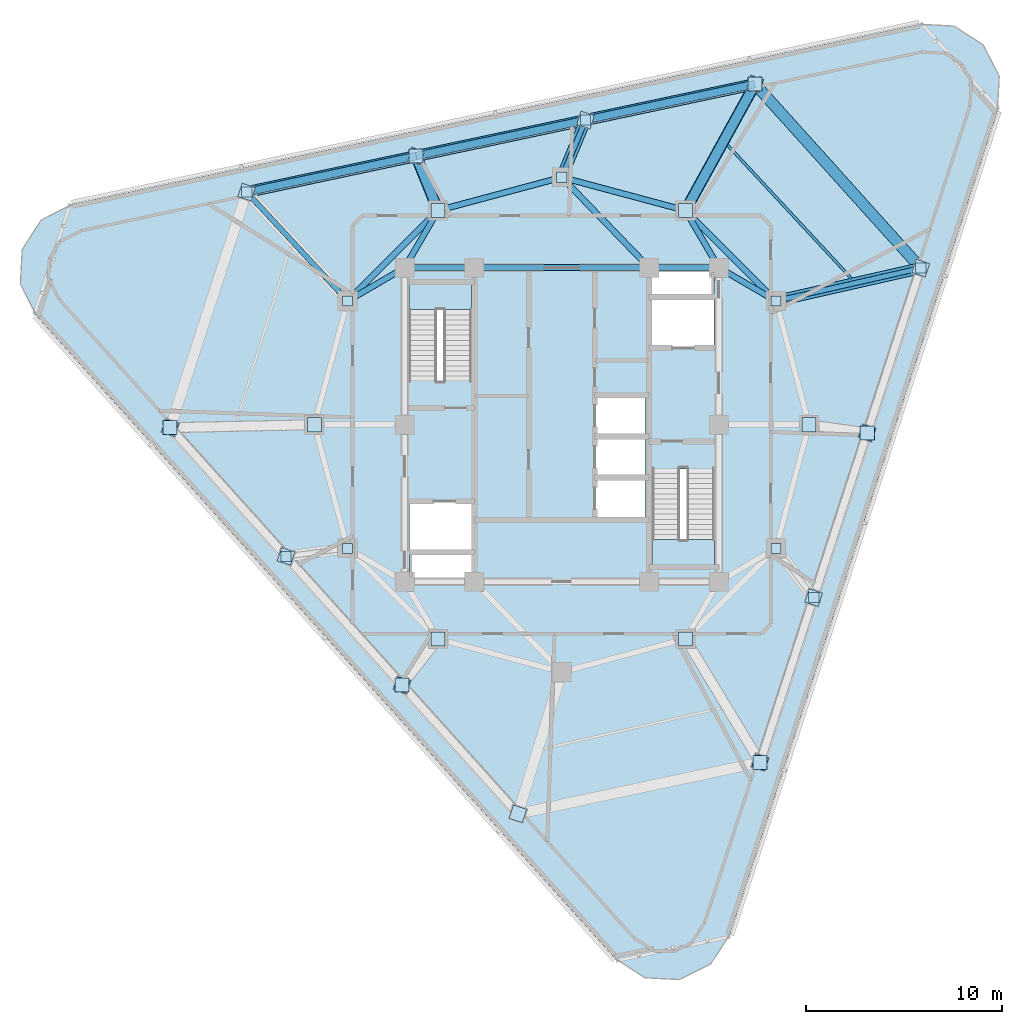
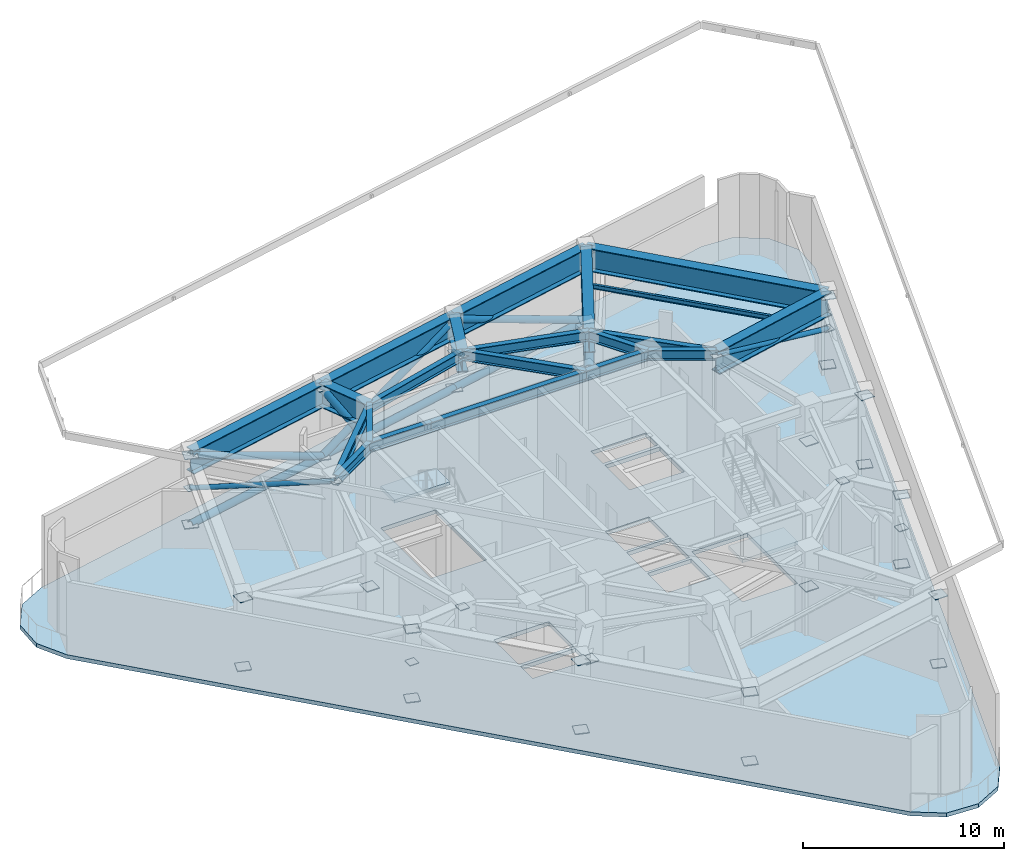
# One storey, part 2 of 10: 40 plates, 21 beams, 11 members, 3 slabs, 2 elements without a shape of their own.
"""IFC4 building model written with IfcOpenShell, lengths in metres."""

import ifcopenshell
import ifcopenshell.guid

model = None  # the IFC model being written
_history = None  # IfcOwnerHistory: only IFC2X3 demands one
_inside = {}  # id of a spatial element -> (the spatial element, [elements in it])
_under = {}  # id of a project, library or spatial element -> (it, [spatial elements below it])
_declared = {}  # id of a project -> (the project, [libraries it declares])
_typed = {}  # id of a type object -> (the type object, [elements of that type])
_made_of = {}  # id of a material, layer set ... -> (it, [elements and type objects made of it])


def new_model(schema):
    """Start an empty IFC model of exactly this schema.

    Asked for "IFC4X3", IfcOpenShell would pick the latest addendum, in which some entities
    have other attributes; the version numbers below select the first issue.
    IFC2X3 requires an IfcOwnerHistory on every rooted entity: one is made here for all.
    """
    global model, _history
    if schema == "IFC4X3":
        model = ifcopenshell.file(schema_version=(4, 3, 0, 0))
    else:
        model = ifcopenshell.file(schema=schema)
    _inside.clear()
    _under.clear()
    _declared.clear()
    _typed.clear()
    _made_of.clear()
    _history = None
    if model.schema == "IFC2X3":
        org = make("IfcOrganization", Name="unknown")
        user = make(
            "IfcPersonAndOrganization",
            ThePerson=make("IfcPerson", FamilyName="unknown"),
            TheOrganization=org,
        )
        app = make(
            "IfcApplication",
            ApplicationDeveloper=org,
            Version="unknown",
            ApplicationFullName="unknown",
            ApplicationIdentifier="unknown",
        )
        _history = make(
            "IfcOwnerHistory",
            OwningUser=user,
            OwningApplication=app,
            ChangeAction="ADDED",
            CreationDate=0,
        )
    return model


def make(cls, **values):
    """One entity of the class cls with the attributes given. An attribute that is None is left unset."""
    return model.create_entity(
        cls, **{name: value for name, value in values.items() if value is not None}
    )


def rooted(cls, **values):
    """An entity with a GlobalId (a new one), such as an element, a storey or a relation."""
    return make(cls, GlobalId=ifcopenshell.guid.new(), OwnerHistory=_history, **values)


def si_unit(unit_type, name, prefix=None):
    """IfcSIUnit, for example si_unit("LENGTHUNIT", "METRE", prefix="MILLI")."""
    return make("IfcSIUnit", UnitType=unit_type, Prefix=prefix, Name=name)


def assignment(units):
    """IfcUnitAssignment: the units of a project."""
    return None if units is None else make("IfcUnitAssignment", Units=units)


def point(xyz):
    """IfcCartesianPoint."""
    return None if xyz is None else make("IfcCartesianPoint", Coordinates=xyz)


def direction(xyz):
    """IfcDirection."""
    return None if xyz is None else make("IfcDirection", DirectionRatios=xyz)


def frame(location, z_axis=None, x_axis=None):
    """IfcAxis2Placement3D, a coordinate frame: its origin and axes. An axis left out is left unset."""
    return make(
        "IfcAxis2Placement3D",
        Location=point(location),
        Axis=direction(z_axis),
        RefDirection=direction(x_axis),
    )


def frame_2d(location, x_axis=None):
    """IfcAxis2Placement2D, a coordinate frame in the plane: its origin and x axis."""
    return make(
        "IfcAxis2Placement2D", Location=point(location), RefDirection=direction(x_axis)
    )


def origin():
    """The frame at (0, 0, 0) with its axes left unset."""
    return frame((0.0, 0.0, 0.0))


def origin_2d():
    """The frame at (0, 0) in the plane with its x axis left unset."""
    return frame_2d((0.0, 0.0))


def place(relative_to, where):
    """IfcLocalPlacement: puts the frame where relative to a parent placement (None: the world)."""
    return make(
        "IfcLocalPlacement", PlacementRelTo=relative_to, RelativePlacement=where
    )


def context(
    kind, dimensions, precision=None, world=None, true_north=None, identifier=None
):
    """IfcGeometricRepresentationContext, for example the 3D "Model" context."""
    return make(
        "IfcGeometricRepresentationContext",
        ContextIdentifier=identifier,
        ContextType=kind,
        CoordinateSpaceDimension=dimensions,
        Precision=precision,
        WorldCoordinateSystem=world,
        TrueNorth=true_north,
    )


def subcontext(parent, identifier, kind, view, scale=None):
    """IfcGeometricRepresentationSubContext, for example "Body" below "Model"."""
    return make(
        "IfcGeometricRepresentationSubContext",
        ContextIdentifier=identifier,
        ContextType=kind,
        ParentContext=parent,
        TargetScale=scale,
        TargetView=view,
    )


def project(units=None, contexts=None):
    """IfcProject with its units and contexts."""
    return rooted(
        "IfcProject",
        Name="project",
        RepresentationContexts=contexts,
        UnitsInContext=assignment(units),
    )


def spatial(cls, under=None, at=None, **own):
    """A site, building, storey or space (cls), placed at a placement, below another one or the project."""
    s = rooted(cls, ObjectPlacement=at, **own)
    if under is not None:
        _under.setdefault(under.id(), (under, []))[1].append(s)
    return s


def polyline(points):
    """IfcPolyline through the points."""
    return make("IfcPolyline", Points=[point(p) for p in points])


def profile(cls, at=None, kind="AREA", **sizes):
    """A parametric profile (cls). Its sizes go by their IFC names, for example OverallWidth=200.0."""
    return make(cls, ProfileType=kind, Position=at, **sizes)


def rectangle(**sizes):
    """IfcRectangleProfileDef."""
    return profile("IfcRectangleProfileDef", **sizes)


def hollow_circle(**sizes):
    """IfcCircleHollowProfileDef."""
    return profile("IfcCircleHollowProfileDef", **sizes)


def i_section(**sizes):
    """IfcIShapeProfileDef."""
    return profile("IfcIShapeProfileDef", **sizes)


def outline(outer, holes=None, kind="AREA"):
    """IfcArbitraryClosedProfileDef: a profile drawn as a closed curve; with holes, ...WithVoids."""
    if holes is None:
        return make("IfcArbitraryClosedProfileDef", ProfileType=kind, OuterCurve=outer)
    return make(
        "IfcArbitraryProfileDefWithVoids",
        ProfileType=kind,
        OuterCurve=outer,
        InnerCurves=holes,
    )


def extrude(swept, where, along, depth):
    """IfcExtrudedAreaSolid: the profile swept, set in the frame where, extruded along a direction by depth."""
    return make(
        "IfcExtrudedAreaSolid",
        SweptArea=swept,
        Position=where,
        ExtrudedDirection=direction(along),
        Depth=depth,
    )


def shape(context_of_items, identifier, shape_type, items):
    """IfcShapeRepresentation: the items that make up one representation, for example the "Body"."""
    return make(
        "IfcShapeRepresentation",
        ContextOfItems=context_of_items,
        RepresentationIdentifier=identifier,
        RepresentationType=shape_type,
        Items=items,
    )


def material(Name=None, Category=None):
    """IfcMaterial."""
    return make("IfcMaterial", Name=Name, Category=Category)


def layer(
    of_material, thickness, ventilated=None, Name=None, Category=None, Priority=None
):
    """IfcMaterialLayer: one layer of a wall or slab, of a material (None: an air gap)."""
    return make(
        "IfcMaterialLayer",
        Material=of_material,
        LayerThickness=thickness,
        IsVentilated=ventilated,
        Name=Name,
        Category=Category,
        Priority=Priority,
    )


def layer_set(layers, Name=None):
    """IfcMaterialLayerSet."""
    return make("IfcMaterialLayerSet", MaterialLayers=layers, LayerSetName=Name)


def material_profile(
    of_material, cross_section, Name=None, Category=None, Priority=None
):
    """IfcMaterialProfile: a cross section and its material."""
    return make(
        "IfcMaterialProfile",
        Name=Name,
        Material=of_material,
        Profile=cross_section,
        Priority=Priority,
        Category=Category,
    )


def profile_set(profiles, Name=None, composite=None):
    """IfcMaterialProfileSet."""
    return make(
        "IfcMaterialProfileSet",
        Name=Name,
        MaterialProfiles=profiles,
        CompositeProfile=composite,
    )


def made_of(thing, what):
    """Note that an element or type object is made of a material, layer set ...; save() writes the relation."""
    if what is not None:
        _made_of.setdefault(what.id(), (what, []))[1].append(thing)
    return thing


def type_object(cls, material=None, **own):
    """A type object (cls), such as IfcWallType, which elements share."""
    return made_of(rooted(cls, **own), material)


def element(
    cls,
    number,
    at=None,
    inside=None,
    cuts=None,
    type_object=None,
    material=None,
    context=None,
    identifier="Body",
    shape_type=None,
    held_by="IfcProductDefinitionShape",
    body=None,
    shapes=None,
    **own,
):
    """One element of the class cls, such as IfcWall. Its Tag is "e" and its number.

    at: its placement. inside: the storey or other place that contains it. cuts: it is an
    opening in that element (IfcRelVoidsElement). A single representation is given by context,
    identifier, shape_type and body (its items); several are given by shapes. held_by: the class
    of the entity that holds the representations. save() writes the other relations.
    """
    e = rooted(cls, Tag="e%d" % number, ObjectPlacement=at, **own)
    if body is not None:
        shapes = [shape(context, identifier, shape_type, body)]
    if shapes is not None:
        e.Representation = make(held_by, Representations=shapes)
    if inside is not None:
        _inside.setdefault(inside.id(), (inside, []))[1].append(e)
    if cuts is not None:
        rooted(
            "IfcRelVoidsElement", RelatingBuildingElement=cuts, RelatedOpeningElement=e
        )
    if type_object is not None:
        _typed.setdefault(type_object.id(), (type_object, []))[1].append(e)
    return made_of(e, material)


def aggregate(whole, parts):
    """IfcRelAggregates: a whole, such as a stair, and the parts it consists of."""
    return rooted("IfcRelAggregates", RelatingObject=whole, RelatedObjects=parts)


def save(model, path):
    """Write the relations noted so far, then the file.

    IfcRelAggregates (storeys below a building ...), IfcRelContainedInSpatialStructure (elements
    in a storey), IfcRelDefinesByType, IfcRelAssociatesMaterial and IfcRelDeclares: one each for
    every whole, place, type object, material and project.
    """
    for whole, parts in _under.values():
        aggregate(whole, parts)
    for where, things in _inside.values():
        rooted(
            "IfcRelContainedInSpatialStructure",
            RelatedElements=things,
            RelatingStructure=where,
        )
    for kind, things in _typed.values():
        rooted("IfcRelDefinesByType", RelatedObjects=things, RelatingType=kind)
    for what, things in _made_of.values():
        rooted("IfcRelAssociatesMaterial", RelatedObjects=things, RelatingMaterial=what)
    for by, libraries in _declared.values():
        rooted("IfcRelDeclares", RelatingContext=by, RelatedDefinitions=libraries)
    model.write(path)


model = new_model("IFC4")

# Units and contexts
model_context = context("Model", 3, precision=1e-05, world=origin(), true_north=direction((0.0, 1.0)))
body_context = subcontext(model_context, "Body", "Model", "MODEL_VIEW")
ifc_project = project(units=[si_unit("LENGTHUNIT", "METRE"), si_unit("AREAUNIT", "SQUARE_METRE"), si_unit("VOLUMEUNIT", "CUBIC_METRE"), si_unit("PLANEANGLEUNIT", "RADIAN"), si_unit("MASSUNIT", "GRAM", prefix="KILO")], contexts=[model_context])

# Site, building, storey
site_placement = place(None, origin())
site = spatial("IfcSite", under=ifc_project, at=site_placement, CompositionType="ELEMENT")
building_placement = place(site_placement, origin())
building = spatial("IfcBuilding", under=site, at=building_placement, Name="Terralouvre Media Tower", CompositionType="ELEMENT")
storey_placement = place(building_placement, frame((0.0, 0.0, 278.10009765625)))
storey = spatial("IfcBuildingStorey", under=building, at=storey_placement, Name="L72", CompositionType="ELEMENT", Elevation=278.10009765625)

# Members
ifc_material_1 = material(Name="Structural steel S460M", Category="steel")
ifc_material_profile_1 = material_profile(ifc_material_1, hollow_circle(Radius=0.203125, WallThickness=0.02001953125, at=origin_2d()), Name="CHS 406.4x20")
ifc_profile_set_1 = profile_set([ifc_material_profile_1], Name="Structural steel S460M")
member_type_1 = type_object("IfcMemberType", Name="Belt and Outrigger Brace BR-CHS406 (CHS 406.4x20)", PredefinedType="BRACE", material=ifc_profile_set_1)
member_1_placement = place(storey_placement, frame((9.843505859375, 17.35205078125, 0.349853515625), z_axis=(-0.883213013317, -0.187714617358, 0.4297650469), x_axis=(0.207892507471, -0.978151678083, 0.0)))
element("IfcMember", 1, at=member_1_placement, inside=storey, type_object=member_type_1, Name="L72 Belt-Truss Diagonal Brace BT04", PredefinedType="BRACE", context=body_context, shape_type="SweptSolid", body=[
    extrude(hollow_circle(Radius=0.203125, WallThickness=0.02001953125, at=origin_2d()), origin(), (0.0, 0.0, 1.0), 9.772705078125),
])
for number, where, z_axis, x_axis, name in (
    (2, (1.212158203125, 15.517578125, 4.5498046875), (-0.883203376513, -0.18774286127, -0.429772513963), (0.207924605802, -0.97814485548, 0.0), "L72 Belt-Truss Diagonal Brace BT05"),
    (3, (-7.4189453125, 13.682861328125, 0.349853515625), (-0.883203376513, -0.18774286127, 0.429772513963), (0.207924605802, -0.97814485548, 0.0), "L72 Belt-Truss Diagonal Brace BT06"),
):
    element("IfcMember", number, at=place(storey_placement, frame(where, z_axis=z_axis, x_axis=x_axis)), inside=storey, type_object=member_type_1, Name=name, PredefinedType="BRACE", context=body_context, shape_type="SweptSolid", body=[
        extrude(hollow_circle(Radius=0.203125, WallThickness=0.02001953125, at=origin_2d()), origin(), (0.0, 0.0, 1.0), 9.7724609375),
    ])
ifc_material_2 = material(Name="Structural steel S460M", Category="steel")
ifc_material_profile_2 = material_profile(ifc_material_2, hollow_circle(Radius=0.25390625, WallThickness=0.02490234375, at=origin_2d()), Name="CHS 508x25")
ifc_profile_set_2 = profile_set([ifc_material_profile_2], Name="Structural steel S460M")
member_type_2 = type_object("IfcMemberType", Name="Belt and Outrigger Brace BR-CHS508 (CHS 508x25)", PredefinedType="BRACE", material=ifc_profile_set_2)
member_2_placement = place(storey_placement, frame((6.300048828125, 10.911865234375, 2.5498046875), z_axis=(0.465150092067, 0.845404042899, 0.262540275197), x_axis=(-0.876138059159, 0.482060267282, 0.0)))
element("IfcMember", 4, at=member_2_placement, inside=storey, type_object=member_type_2, Name="L72 Outrigger Diagonal Brace OR03", PredefinedType="BRACE", context=body_context, shape_type="SweptSolid", body=[
    extrude(hollow_circle(Radius=0.25390625, WallThickness=0.02490234375, at=origin_2d()), origin(), (0.0, 0.0, 1.0), 7.617919921875),
])
member_3_placement = place(storey_placement, frame((-6.300048828125, 10.911865234375, 2.5498046875), z_axis=(-0.311160736609, 0.77060317707, 0.556192178552), x_axis=(-0.927260383386, -0.374417122208, 0.0)))
element("IfcMember", 5, at=member_3_placement, inside=storey, type_object=member_type_2, Name="L72 Outrigger Diagonal Brace OR04", PredefinedType="BRACE", context=body_context, shape_type="SweptSolid", body=[
    extrude(hollow_circle(Radius=0.25390625, WallThickness=0.02490234375, at=origin_2d()), origin(), (0.0, 0.0, 1.0), 3.595947265625),
])

# Beam
ifc_material_3 = material(Name="Structural steel S355J2", Category="steel")
ifc_material_profile_3 = material_profile(ifc_material_3, i_section(OverallWidth=0.135009765625, OverallDepth=0.27001953125, WebThickness=0.006591796875, FlangeThickness=0.01025390625, at=origin_2d()), Name="IPE 270")
ifc_profile_set_3 = profile_set([ifc_material_profile_3], Name="Structural steel S355J2")
beam_type_1 = type_object("IfcBeamType", Name="Composite Floor Joist J-IPE270 (IPE 270)", PredefinedType="JOIST", material=ifc_profile_set_3)
beam_1_placement = place(storey_placement, frame((14.748779296875, 7.457275390625, 4.764892578125), z_axis=(-0.680610911469, 0.732645062216, 0.0), x_axis=(-0.732645062216, -0.680610911469, 0.0)))
element("IfcBeam", 6, at=beam_1_placement, inside=storey, type_object=beam_type_1, Name="L72 Framing Beam JT-L72-04", PredefinedType="JOIST", context=body_context, shape_type="SweptSolid", body=[
    extrude(i_section(OverallWidth=0.135009765625, OverallDepth=0.27001953125, WebThickness=0.006591796875, FlangeThickness=0.01025390625, at=origin_2d()), origin(), (0.0, 0.0, 1.0), 9.257080078125),
])

# Members
ifc_material_4 = material(Name="Structural steel S355J2", Category="steel")
ifc_material_profile_4 = material_profile(ifc_material_4, hollow_circle(Radius=0.136474609375, WallThickness=0.012451171875, at=origin_2d()), Name="CHS 273x12.5")
ifc_profile_set_4 = profile_set([ifc_material_profile_4], Name="Structural steel S355J2")
member_type_3 = type_object("IfcMemberType", Name="Portal Knee-Brace Strut ST-CHS273 (CHS 273x12.5)", PredefinedType="STRUT", material=ifc_profile_set_4)
member_4_placement = place(storey_placement, frame((10.911865234375, 6.300048828125, 4.5498046875), z_axis=(0.942728932711, 0.214208338803, -0.255689160931), x_axis=(-0.2215736586, 0.97514363753, 0.0)))
element("IfcMember", 7, at=member_4_placement, inside=storey, type_object=member_type_3, Name="L72 Refuge Outrigger Knee-Brace Strut 17", PredefinedType="STRUT", context=body_context, shape_type="SweptSolid", body=[
    extrude(hollow_circle(Radius=0.136474609375, WallThickness=0.012451171875, at=origin_2d()), origin(), (0.0, 0.0, 1.0), 7.822021484375),
])
member_5_placement = place(storey_placement, frame((0.0, 12.60009765625, 4.5498046875), z_axis=(0.324182733249, 0.78025854226, -0.53488518646), x_axis=(-0.923465125143, 0.383682372078, 0.0)))
element("IfcMember", 8, at=member_5_placement, inside=storey, type_object=member_type_3, Name="L72 Refuge Outrigger Knee-Brace Strut 18", PredefinedType="STRUT", context=body_context, shape_type="SweptSolid", body=[
    extrude(hollow_circle(Radius=0.136474609375, WallThickness=0.012451171875, at=origin_2d()), origin(), (0.0, 0.0, 1.0), 3.739013671875),
])
member_6_placement = place(storey_placement, frame((-10.911865234375, 6.300048828125, 4.5498046875), z_axis=(-0.656896171376, 0.709301791054, -0.25569198118), x_axis=(-0.733690924609, -0.679483353105, 0.0)))
element("IfcMember", 9, at=member_6_placement, inside=storey, type_object=member_type_3, Name="L72 Refuge Outrigger Knee-Brace Strut 19", PredefinedType="STRUT", context=body_context, shape_type="SweptSolid", body=[
    extrude(hollow_circle(Radius=0.136474609375, WallThickness=0.012451171875, at=origin_2d()), origin(), (0.0, 0.0, 1.0), 7.822021484375),
])

# Beams
ifc_material_5 = material(Name="Structural steel S460M", Category="steel")
ifc_material_profile_5 = material_profile(ifc_material_5, i_section(OverallWidth=0.300048828125, OverallDepth=0.60009765625, WebThickness=0.015380859375, FlangeThickness=0.030029296875, at=origin_2d()), Name="HEB 600")
ifc_profile_set_5 = profile_set([ifc_material_profile_5], Name="Structural steel S460M")
beam_type_2 = type_object("IfcBeamType", Name="Primary Floor Girder B-HEB600 (HEB 600)", PredefinedType="BEAM", material=ifc_profile_set_5)
beam_2_placement = place(storey_placement, frame((8.0, 8.0, 4.599853515625), z_axis=(-1.0, 0.0, 0.0), x_axis=(0.0, -1.0, 0.0)))
element("IfcBeam", 10, at=beam_2_placement, inside=storey, type_object=beam_type_2, Name="L72 Framing Beam BM-L72-CPR06", PredefinedType="BEAM", context=body_context, shape_type="SweptSolid", body=[
    extrude(i_section(OverallWidth=0.300048828125, OverallDepth=0.60009765625, WebThickness=0.015380859375, FlangeThickness=0.030029296875, at=origin_2d()), origin(), (0.0, 0.0, 1.0), 3.550048828125),
])
beam_3_placement = place(storey_placement, frame((4.449951171875, 8.0, 4.599853515625), z_axis=(-1.0, 0.0, 0.0), x_axis=(0.0, -1.0, 0.0)))
element("IfcBeam", 11, at=beam_3_placement, inside=storey, type_object=beam_type_2, Name="L72 Framing Beam BM-L72-CPR07", PredefinedType="BEAM", context=body_context, shape_type="SweptSolid", body=[
    extrude(i_section(OverallWidth=0.300048828125, OverallDepth=0.60009765625, WebThickness=0.015380859375, FlangeThickness=0.030029296875, at=origin_2d()), origin(), (0.0, 0.0, 1.0), 8.89990234375),
])
beam_4_placement = place(storey_placement, frame((-4.449951171875, 8.0, 4.599853515625), z_axis=(-1.0, 0.0, 0.0), x_axis=(0.0, -1.0, 0.0)))
element("IfcBeam", 12, at=beam_4_placement, inside=storey, type_object=beam_type_2, Name="L72 Framing Beam BM-L72-CPR08", PredefinedType="BEAM", context=body_context, shape_type="SweptSolid", body=[
    extrude(i_section(OverallWidth=0.300048828125, OverallDepth=0.60009765625, WebThickness=0.015380859375, FlangeThickness=0.030029296875, at=origin_2d()), origin(), (0.0, 0.0, 1.0), 3.550048828125),
])
beam_5_placement = place(storey_placement, frame((10.911865234375, 6.300048828125, 4.599853515625), z_axis=(-0.707106781187, 0.707106781187, 0.0), x_axis=(-0.707106781187, -0.707106781187, 0.0)))
element("IfcBeam", 13, at=beam_5_placement, inside=storey, type_object=beam_type_2, Name="L72 Framing Beam BM-L72-MR07", PredefinedType="BEAM", context=body_context, shape_type="SweptSolid", body=[
    extrude(i_section(OverallWidth=0.300048828125, OverallDepth=0.60009765625, WebThickness=0.015380859375, FlangeThickness=0.030029296875, at=origin_2d()), origin(), (0.0, 0.0, 1.0), 6.52197265625),
])
for number, where, z_axis, x_axis, name in (
    (14, (6.300048828125, 10.911865234375, 4.599853515625), (-0.965920481897, 0.258838989821, 0.0), (-0.258838989821, -0.965920481897, 0.0), "L72 Framing Beam BM-L72-MR08"),
    (15, (0.0, 12.60009765625, 4.599853515625), (-0.965920481897, -0.258838989821, 0.0), (0.258838989821, -0.965920481897, 0.0), "L72 Framing Beam BM-L72-MR09"),
):
    element("IfcBeam", number, at=place(storey_placement, frame(where, z_axis=z_axis, x_axis=x_axis)), inside=storey, type_object=beam_type_2, Name=name, PredefinedType="BEAM", context=body_context, shape_type="SweptSolid", body=[
        extrude(i_section(OverallWidth=0.300048828125, OverallDepth=0.60009765625, WebThickness=0.015380859375, FlangeThickness=0.030029296875, at=origin_2d()), origin(), (0.0, 0.0, 1.0), 6.522216796875),
    ])
beam_6_placement = place(storey_placement, frame((-6.300048828125, 10.911865234375, 4.599853515625), z_axis=(-0.707106781187, -0.707106781187, 0.0), x_axis=(0.707106781187, -0.707106781187, 0.0)))
element("IfcBeam", 16, at=beam_6_placement, inside=storey, type_object=beam_type_2, Name="L72 Framing Beam BM-L72-MR10", PredefinedType="BEAM", context=body_context, shape_type="SweptSolid", body=[
    extrude(i_section(OverallWidth=0.300048828125, OverallDepth=0.60009765625, WebThickness=0.015380859375, FlangeThickness=0.030029296875, at=origin_2d()), origin(), (0.0, 0.0, 1.0), 6.52197265625),
])
for number, where, z_axis, x_axis, name in (
    (17, (8.0, 8.0, 4.599853515625), (0.863602894532, -0.504172629717, 0.0), (0.504172629717, 0.863602894532, 0.0), "L72 Framing Beam BM-L72-CM07"),
    (18, (8.0, 8.0, 4.599853515625), (-0.504172629717, 0.863602894532, 0.0), (-0.863602894532, -0.504172629717, 0.0), "L72 Framing Beam BM-L72-CM08"),
):
    element("IfcBeam", number, at=place(storey_placement, frame(where, z_axis=z_axis, x_axis=x_axis)), inside=storey, type_object=beam_type_2, Name=name, PredefinedType="BEAM", context=body_context, shape_type="SweptSolid", body=[
        extrude(i_section(OverallWidth=0.300048828125, OverallDepth=0.60009765625, WebThickness=0.015380859375, FlangeThickness=0.030029296875, at=origin_2d()), origin(), (0.0, 0.0, 1.0), 3.371826171875),
    ])
beam_7_placement = place(storey_placement, frame((4.449951171875, 8.0, 4.599853515625), z_axis=(-0.695279715726, 0.718739255155, 0.0), x_axis=(-0.718739255155, -0.695279715726, 0.0)))
element("IfcBeam", 19, at=beam_7_placement, inside=storey, type_object=beam_type_2, Name="L72 Framing Beam BM-L72-CM09", PredefinedType="BEAM", context=body_context, shape_type="SweptSolid", body=[
    extrude(i_section(OverallWidth=0.300048828125, OverallDepth=0.60009765625, WebThickness=0.015380859375, FlangeThickness=0.030029296875, at=origin_2d()), origin(), (0.0, 0.0, 1.0), 6.400146484375),
])
for number, where, z_axis, x_axis, name in (
    (20, (-8.0, 8.0, 4.599853515625), (0.504172629717, 0.863602894532, 0.0), (-0.863602894532, 0.504172629717, 0.0), "L72 Framing Beam BM-L72-CM10"),
    (21, (-8.0, 8.0, 4.599853515625), (-0.863602894532, -0.504172629717, 0.0), (0.504172629717, -0.863602894532, 0.0), "L72 Framing Beam BM-L72-CM11"),
):
    element("IfcBeam", number, at=place(storey_placement, frame(where, z_axis=z_axis, x_axis=x_axis)), inside=storey, type_object=beam_type_2, Name=name, PredefinedType="BEAM", context=body_context, shape_type="SweptSolid", body=[
        extrude(i_section(OverallWidth=0.300048828125, OverallDepth=0.60009765625, WebThickness=0.015380859375, FlangeThickness=0.030029296875, at=origin_2d()), origin(), (0.0, 0.0, 1.0), 3.371826171875),
    ])

# Members
ifc_material_6 = material(Name="Structural steel S460M", Category="steel")
ifc_material_profile_6 = material_profile(ifc_material_6, hollow_circle(Radius=0.203125, WallThickness=0.02001953125, at=origin_2d()), Name="CHS 406.4x20")
ifc_profile_set_6 = profile_set([ifc_material_profile_6], Name="Structural steel S460M")
member_type_4 = type_object("IfcMemberType", Name="Truss Chord Member CH-CHS406 (CHS 406.4x20)", PredefinedType="CHORD", material=ifc_profile_set_6)
member_7_placement = place(storey_placement, frame((9.843505859375, 17.35205078125, 0.349853515625), z_axis=(-0.978151678083, -0.207892507471, 0.0), x_axis=(0.207892507471, -0.978151678083, 0.0)))
element("IfcMember", 22, at=member_7_placement, inside=storey, type_object=member_type_4, Name="L72 Belt-Truss Bottom Chord 04", PredefinedType="CHORD", context=body_context, shape_type="SweptSolid", body=[
    extrude(hollow_circle(Radius=0.203125, WallThickness=0.02001953125, at=origin_2d()), origin(), (0.0, 0.0, 1.0), 8.82421875),
])
for number, where, z_axis, x_axis, name in (
    (23, (1.212158203125, 15.517578125, 0.349853515625), (-0.97814485548, -0.207924605802, 0.0), (0.207924605802, -0.97814485548, 0.0), "L72 Belt-Truss Bottom Chord 05"),
    (24, (-7.4189453125, 13.682861328125, 0.349853515625), (-0.97814485548, -0.207924605802, 0.0), (0.207924605802, -0.97814485548, 0.0), "L72 Belt-Truss Bottom Chord 06"),
):
    element("IfcMember", number, at=place(storey_placement, frame(where, z_axis=z_axis, x_axis=x_axis)), inside=storey, type_object=member_type_4, Name=name, PredefinedType="CHORD", context=body_context, shape_type="SweptSolid", body=[
        extrude(hollow_circle(Radius=0.203125, WallThickness=0.02001953125, at=origin_2d()), origin(), (0.0, 0.0, 1.0), 8.823974609375),
    ])

# Beams
ifc_material_7 = material(Name="Structural steel S460M", Category="steel")
ifc_material_profile_7 = material_profile(ifc_material_7, i_section(OverallWidth=0.56005859375, OverallDepth=1.39990234375, WebThickness=0.031982421875, FlangeThickness=0.050048828125, at=origin_2d()), Name="TG 1400x560")
ifc_profile_set_7 = profile_set([ifc_material_profile_7], Name="Structural steel S460M")
beam_type_3 = type_object("IfcBeamType", Name="Welded Transfer Girder TG-1400 (TG 1400x560)", PredefinedType="USERDEFINED", material=ifc_profile_set_7)
beam_8_placement = place(storey_placement, frame((18.285888671875, 7.975830078125, 4.199951171875), z_axis=(-0.669130421256, 0.743144992144, 0.0), x_axis=(-0.743144992144, -0.669130421256, 0.0)))
element("IfcBeam", 25, at=beam_8_placement, inside=storey, type_object=beam_type_3, Name="L72 Framing Beam BM-L72-PR08", ObjectType="TRANSFER GIRDER", PredefinedType="USERDEFINED", context=body_context, shape_type="SweptSolid", body=[
    extrude(i_section(OverallWidth=0.56005859375, OverallDepth=1.39990234375, WebThickness=0.031982421875, FlangeThickness=0.050048828125, at=origin_2d()), origin(), (0.0, 0.0, 1.0), 12.616943359375),
])
beam_9_placement = place(storey_placement, frame((9.843505859375, 17.35205078125, 4.199951171875), z_axis=(-0.978151678083, -0.207892507471, 0.0), x_axis=(0.207892507471, -0.978151678083, 0.0)))
element("IfcBeam", 26, at=beam_9_placement, inside=storey, type_object=beam_type_3, Name="L72 Framing Beam BM-L72-PR09", ObjectType="TRANSFER GIRDER", PredefinedType="USERDEFINED", context=body_context, shape_type="SweptSolid", body=[
    extrude(i_section(OverallWidth=0.56005859375, OverallDepth=1.39990234375, WebThickness=0.031982421875, FlangeThickness=0.050048828125, at=origin_2d()), origin(), (0.0, 0.0, 1.0), 8.82421875),
])
for number, where, z_axis, x_axis, name in (
    (27, (1.212158203125, 15.517578125, 4.199951171875), (-0.97814485548, -0.207924605802, 0.0), (0.207924605802, -0.97814485548, 0.0), "L72 Framing Beam BM-L72-PR10"),
    (28, (-7.4189453125, 13.682861328125, 4.199951171875), (-0.97814485548, -0.207924605802, 0.0), (0.207924605802, -0.97814485548, 0.0), "L72 Framing Beam BM-L72-PR11"),
):
    element("IfcBeam", number, at=place(storey_placement, frame(where, z_axis=z_axis, x_axis=x_axis)), inside=storey, type_object=beam_type_3, Name=name, ObjectType="TRANSFER GIRDER", PredefinedType="USERDEFINED", context=body_context, shape_type="SweptSolid", body=[
        extrude(i_section(OverallWidth=0.56005859375, OverallDepth=1.39990234375, WebThickness=0.031982421875, FlangeThickness=0.050048828125, at=origin_2d()), origin(), (0.0, 0.0, 1.0), 8.823974609375),
    ])
beam_10_placement = place(storey_placement, frame((10.911865234375, 6.300048828125, 4.199951171875), z_axis=(0.975136661347, 0.221604358479, 0.0), x_axis=(-0.221604358479, 0.975136661347, 0.0)))
element("IfcBeam", 29, at=beam_10_placement, inside=storey, type_object=beam_type_3, Name="L72 Framing Beam BM-L72-RD08", ObjectType="TRANSFER GIRDER", PredefinedType="USERDEFINED", context=body_context, shape_type="SweptSolid", body=[
    extrude(i_section(OverallWidth=0.56005859375, OverallDepth=1.39990234375, WebThickness=0.031982421875, FlangeThickness=0.050048828125, at=origin_2d()), origin(), (0.0, 0.0, 1.0), 7.56201171875),
])
beam_11_placement = place(storey_placement, frame((6.300048828125, 10.911865234375, 4.199951171875), z_axis=(0.482060267282, 0.876138059159, 0.0), x_axis=(-0.876138059159, 0.482060267282, 0.0)))
element("IfcBeam", 30, at=beam_11_placement, inside=storey, type_object=beam_type_3, Name="L72 Framing Beam BM-L72-RD09", ObjectType="TRANSFER GIRDER", PredefinedType="USERDEFINED", context=body_context, shape_type="SweptSolid", body=[
    extrude(i_section(OverallWidth=0.56005859375, OverallDepth=1.39990234375, WebThickness=0.031982421875, FlangeThickness=0.050048828125, at=origin_2d()), origin(), (0.0, 0.0, 1.0), 7.3505859375),
])
beam_12_placement = place(storey_placement, frame((0.0, 12.60009765625, 4.199951171875), z_axis=(0.383682372078, 0.923465125143, 0.0), x_axis=(-0.923465125143, 0.383682372078, 0.0)))
element("IfcBeam", 31, at=beam_12_placement, inside=storey, type_object=beam_type_3, Name="L72 Framing Beam BM-L72-RD10", ObjectType="TRANSFER GIRDER", PredefinedType="USERDEFINED", context=body_context, shape_type="SweptSolid", body=[
    extrude(i_section(OverallWidth=0.56005859375, OverallDepth=1.39990234375, WebThickness=0.031982421875, FlangeThickness=0.050048828125, at=origin_2d()), origin(), (0.0, 0.0, 1.0), 3.1591796875),
])
beam_13_placement = place(storey_placement, frame((-6.300048828125, 10.911865234375, 4.199951171875), z_axis=(-0.374417122208, 0.927260383386, 0.0), x_axis=(-0.927260383386, -0.374417122208, 0.0)))
element("IfcBeam", 32, at=beam_13_placement, inside=storey, type_object=beam_type_3, Name="L72 Framing Beam BM-L72-RD11", ObjectType="TRANSFER GIRDER", PredefinedType="USERDEFINED", context=body_context, shape_type="SweptSolid", body=[
    extrude(i_section(OverallWidth=0.56005859375, OverallDepth=1.39990234375, WebThickness=0.031982421875, FlangeThickness=0.050048828125, at=origin_2d()), origin(), (0.0, 0.0, 1.0), 2.98828125),
])

# Plates
ifc_material_8 = material(Name="Structural steel S355J2", Category="steel")
ifc_layer_1 = layer(ifc_material_8, 0.028076171875, Name="Crown Rib End-Cap Node Plate ND-CR1")
ifc_layer_set_1 = layer_set([ifc_layer_1], Name="Structural steel S355J2")
plate_type_1 = type_object("IfcPlateType", Name="Crown Rib End-Cap Node Plate ND-CR1", PredefinedType="SHEET", material=ifc_layer_set_1)
for number, where, z_axis, x_axis, name in (
    (33, (10.911865234375, -6.300048828125, 4.53564453125), (0.0, 0.0, 1.0), (1.0, 0.0, 0.0), "L72 Strut Base Plate 16"),
    (34, (12.83251953125, -8.80859375, 2.53564453125), (0.0, 0.0, 1.0), (1.0, 0.0, 0.0), "L72 Strut Top Plate 16"),
    (35, (10.911865234375, 6.300048828125, 4.53564453125), (0.0, 0.0, 1.0), (1.0, 0.0, 0.0), "L72 Strut Base Plate 17"),
    (36, (18.285888671875, 7.9755859375, 2.53564453125), (0.0, 0.0, 1.0), (1.0, 0.0, 0.0), "L72 Strut Top Plate 17"),
    (37, (0.0, 12.60009765625, 4.53564453125), (0.0, 0.0, 1.0), (1.0, 0.0, 0.0), "L72 Strut Base Plate 18"),
    (38, (1.212158203125, 15.517578125, 2.53564453125), (0.0, 0.0, 1.0), (1.0, 0.0, 0.0), "L72 Strut Top Plate 18"),
    (39, (-10.911865234375, 6.300048828125, 4.53564453125), (0.0, 0.0, 1.0), (1.0, 0.0, 0.0), "L72 Strut Base Plate 19"),
    (40, (-16.050048828125, 11.84814453125, 2.53564453125), (0.0, 0.0, 1.0), (1.0, 0.0, 0.0), "L72 Strut Top Plate 19"),
    (41, (-10.911865234375, -6.300048828125, 4.53564453125), (0.0, 0.0, 1.0), (1.0, 0.0, 0.0), "L72 Strut Base Plate 20"),
    (42, (-14.044677734375, -6.708984375, 2.53564453125), (0.0, 0.0, 1.0), (1.0, 0.0, 0.0), "L72 Strut Top Plate 20"),
):
    element("IfcPlate", number, at=place(storey_placement, frame(where, z_axis=z_axis, x_axis=x_axis)), inside=storey, type_object=plate_type_1, Name=name, PredefinedType="SHEET", context=body_context, shape_type="SweptSolid", body=[
        extrude(rectangle(XDim=0.52001953125, YDim=0.52001953125, at=origin_2d()), origin(), (0.0, 0.0, 1.0), 0.028076171875),
    ])

# Slab
ifc_material_9 = material(Name="Concrete C45/55", Category="concrete")
ifc_layer_2 = layer(ifc_material_9, 0.239990234375, Name="Refuge Fire-Barrier Slab S-REF240")
ifc_layer_set_2 = layer_set([ifc_layer_2], Name="Concrete C45/55")
slab_type_1 = type_object("IfcSlabType", Name="Refuge Fire-Barrier Slab S-REF240", PredefinedType="FLOOR", material=ifc_layer_set_2)
slab_1_placement = place(storey_placement, frame((0.0, 0.0, -0.239990234375), z_axis=(0.0, 0.0, 1.0), x_axis=(0.309016994375, 0.951056516295, 0.0)))
element("IfcSlab", 43, at=slab_1_placement, inside=storey, type_object=slab_type_1, Name="L72 Structural Floor Slab", PredefinedType="FLOOR", context=body_context, shape_type="SweptSolid", body=[
    extrude(outline(polyline([(-25.0390625, -11.016357421875), (-25.5, -12.736328125), (-25.0390625, -14.456298828125), (-23.780029296875, -15.715576171875), (-22.06005859375, -16.17626953125), (22.06005859375, -16.17626953125), (23.780029296875, -15.715576171875), (25.0390625, -14.456298828125), (25.5, -12.736328125), (25.0390625, -11.016357421875), (2.97900390625, 27.192626953125), (1.719970703125, 28.451904296875), (0.0, 28.91259765625), (-1.719970703125, 28.451904296875), (-2.97900390625, 27.192626953125), (-25.0390625, -11.016357421875)]), holes=[polyline([(-7.698486328125, 2.33544921875), (-8.839599609375, 1.964599609375), (-9.813232421875, 4.96044921875), (-8.671875, 5.3310546875), (-7.698486328125, 2.33544921875)]), polyline([(-5.17822265625, 3.154296875), (-7.50830078125, 2.397216796875), (-8.481689453125, 5.39306640625), (-6.151611328125, 6.150146484375), (-5.17822265625, 3.154296875)]), polyline([(-5.483154296875, -6.618408203125), (-0.713623046875, -5.068603515625), (0.26904296875, -8.093017578125), (-4.50048828125, -9.642578125), (-5.483154296875, -6.618408203125)]), polyline([(-1.33056640625, -4.901123046875), (-3.17578125, -5.50048828125), (-3.9482421875, -3.122802734375), (-2.103271484375, -2.5234375), (-1.33056640625, -4.901123046875)]), polyline([(0.66650390625, -4.252197265625), (-1.178466796875, -4.8515625), (-1.950927734375, -2.473876953125), (-0.10595703125, -1.87451171875), (0.66650390625, -4.252197265625)]), polyline([(2.663818359375, -3.603271484375), (0.81884765625, -4.20263671875), (0.046142578125, -1.824951171875), (1.891357421875, -1.2255859375), (2.663818359375, -3.603271484375)]), polyline([(5.483154296875, 6.618408203125), (0.713623046875, 5.068603515625), (-0.26904296875, 8.093017578125), (4.50048828125, 9.642578125), (5.483154296875, 6.618408203125)]), polyline([(6.151611328125, -6.150146484375), (5.17822265625, -3.154296875), (7.50830078125, -2.397216796875), (8.481689453125, -5.39306640625), (6.151611328125, -6.150146484375)]), polyline([(8.671875, -5.3310546875), (7.698486328125, -2.33544921875), (8.839599609375, -1.964599609375), (9.813232421875, -4.96044921875), (8.671875, -5.3310546875)])]), origin(), (0.0, 0.0, 1.0), 0.239990234375),
])

# Stair, slab
ifc_material_10 = material(Name="Concrete C45/55", Category="concrete")
stair_type_1 = type_object("IfcStairType", Name="Dogleg Stair Assembly ST-01", PredefinedType="HALF_TURN_STAIR", material=ifc_material_10)
stair_1_placement = place(storey_placement, origin())
stair_1 = element("IfcStair", 44, at=stair_1_placement, inside=storey, type_object=stair_type_1, Name="L72 Core Pressurised Exit Stair ST-01", PredefinedType="HALF_TURN_STAIR")
ifc_material_11 = material(Name="Concrete C45/55", Category="concrete")
ifc_layer_3 = layer(ifc_material_11, 0.199951171875, Name="Reinforced Concrete Stair Half-Landing SL-LD1")
ifc_layer_set_3 = layer_set([ifc_layer_3], Name="Concrete C45/55")
slab_type_2 = type_object("IfcSlabType", Name="Reinforced Concrete Stair Half-Landing SL-LD1", PredefinedType="LANDING", material=ifc_layer_set_3)
slab_2_placement = place(storey_placement, frame((0.0, 0.0, 2.349853515625)))
slab_2 = element("IfcSlab", 45, at=slab_2_placement, type_object=slab_type_2, Name="ST-01 landing 1", PredefinedType="LANDING", context=body_context, shape_type="SweptSolid", body=[
    extrude(outline(polyline([(-4.60009765625, 5.860107421875), (-4.60009765625, 7.260009765625), (-7.780029296875, 7.260009765625), (-7.780029296875, 5.860107421875), (-4.60009765625, 5.860107421875)])), origin(), (0.0, 0.0, 1.0), 0.199951171875),
])
aggregate(stair_1, [slab_2])

ifc_material_12 = material(Name="Concrete C45/55", Category="concrete")
stair_type_2 = type_object("IfcStairType", Name="Dogleg Stair Assembly ST-02", PredefinedType="HALF_TURN_STAIR", material=ifc_material_12)
stair_2_placement = place(storey_placement, origin())
stair_2 = element("IfcStair", 46, at=stair_2_placement, inside=storey, type_object=stair_type_2, Name="L72 Core Pressurised Exit Stair ST-02", PredefinedType="HALF_TURN_STAIR")
slab_3_placement = place(storey_placement, frame((0.0, 0.0, 2.349853515625)))
slab_3 = element("IfcSlab", 47, at=slab_3_placement, type_object=slab_type_2, Name="ST-02 landing 1", PredefinedType="LANDING", context=body_context, shape_type="SweptSolid", body=[
    extrude(outline(polyline([(4.60009765625, -5.860107421875), (4.60009765625, -7.260009765625), (7.780029296875, -7.260009765625), (7.780029296875, -5.860107421875), (4.60009765625, -5.860107421875)])), origin(), (0.0, 0.0, 1.0), 0.199951171875),
])
aggregate(stair_2, [slab_3])

# Plates
ifc_material_13 = material(Name="Structural steel S460M", Category="steel")
ifc_layer_4 = layer(ifc_material_13, 0.035888671875, Name="Welded Belt-Truss Gusset Node Plate ND-BT1")
ifc_layer_set_4 = layer_set([ifc_layer_4], Name="Structural steel S460M")
plate_type_2 = type_object("IfcPlateType", Name="Welded Belt-Truss Gusset Node Plate ND-BT1", PredefinedType="SHEET", material=ifc_layer_set_4)
for number, where, z_axis, x_axis, name in (
    (48, (10.105712890625, -17.20068359375, 0.33203125), (0.0, 0.0, 1.0), (0.309016994375, 0.951056516295, 0.0), "L72 Belt-Truss Welded Node Plate ND-01"),
    (49, (12.83251953125, -8.80859375, 0.33203125), (0.0, 0.0, 1.0), (0.309016994375, 0.951056516295, 0.0), "L72 Belt-Truss Welded Node Plate ND-02"),
    (50, (12.83251953125, -8.80859375, 4.53173828125), (0.0, 0.0, 1.0), (0.309016994375, 0.951056516295, 0.0), "L72 Belt-Truss Welded Node Plate ND-04"),
    (51, (15.55908203125, -0.41650390625, 0.33203125), (0.0, 0.0, 1.0), (0.309016994375, 0.951056516295, 0.0), "L72 Belt-Truss Welded Node Plate ND-06"),
    (52, (18.285888671875, 7.9755859375, 0.33203125), (0.0, 0.0, 1.0), (0.309016994375, 0.951056516295, 0.0), "L72 Belt-Truss Welded Node Plate ND-10"),
    (53, (18.285888671875, 7.9755859375, 4.53173828125), (0.0, 0.0, 1.0), (0.309016994375, 0.951056516295, 0.0), "L72 Belt-Truss Welded Node Plate ND-12"),
    (54, (9.843505859375, 17.35205078125, 0.33203125), (0.0, 0.0, 1.0), (0.309016994375, 0.951056516295, 0.0), "L72 Belt-Truss Welded Node Plate ND-13"),
    (55, (1.212158203125, 15.517578125, 0.33203125), (0.0, 0.0, 1.0), (0.309016994375, 0.951056516295, 0.0), "L72 Belt-Truss Welded Node Plate ND-14"),
    (56, (1.212158203125, 15.517578125, 4.53173828125), (0.0, 0.0, 1.0), (0.309016994375, 0.951056516295, 0.0), "L72 Belt-Truss Welded Node Plate ND-16"),
    (57, (-7.4189453125, 13.682861328125, 0.33203125), (0.0, 0.0, 1.0), (0.309016994375, 0.951056516295, 0.0), "L72 Belt-Truss Welded Node Plate ND-18"),
    (58, (-16.050048828125, 11.84814453125, 0.33203125), (0.0, 0.0, 1.0), (0.309016994375, 0.951056516295, 0.0), "L72 Belt-Truss Welded Node Plate ND-22"),
    (59, (-16.050048828125, 11.84814453125, 4.53173828125), (0.0, 0.0, 1.0), (0.309016994375, 0.951056516295, 0.0), "L72 Belt-Truss Welded Node Plate ND-24"),
    (60, (-19.948974609375, -0.1513671875, 0.33203125), (0.0, 0.0, 1.0), (0.309016994375, 0.951056516295, 0.0), "L72 Belt-Truss Welded Node Plate ND-25"),
    (61, (-14.044677734375, -6.708984375, 0.33203125), (0.0, 0.0, 1.0), (0.309016994375, 0.951056516295, 0.0), "L72 Belt-Truss Welded Node Plate ND-26"),
    (62, (-14.044677734375, -6.708984375, 4.53173828125), (0.0, 0.0, 1.0), (0.309016994375, 0.951056516295, 0.0), "L72 Belt-Truss Welded Node Plate ND-28"),
    (63, (-8.14013671875, -13.266357421875, 0.33203125), (0.0, 0.0, 1.0), (0.309016994375, 0.951056516295, 0.0), "L72 Belt-Truss Welded Node Plate ND-30"),
    (64, (-2.23583984375, -19.823974609375, 0.33203125), (0.0, 0.0, 1.0), (0.309016994375, 0.951056516295, 0.0), "L72 Belt-Truss Welded Node Plate ND-34"),
    (65, (-2.23583984375, -19.823974609375, 4.53173828125), (0.0, 0.0, 1.0), (0.309016994375, 0.951056516295, 0.0), "L72 Belt-Truss Welded Node Plate ND-36"),
    (66, (6.300048828125, -10.911865234375, 2.53173828125), (0.0, 0.0, 1.0), (1.0, 0.0, 0.0), "L72 Outrigger Welded Node Plate ND-37"),
    (67, (10.105712890625, -17.20068359375, 4.53173828125), (0.0, 0.0, 1.0), (1.0, 0.0, 0.0), "L72 Outrigger Welded Node Plate ND-38"),
    (68, (12.60009765625, 0.0, 2.53173828125), (0.0, 0.0, 1.0), (1.0, 0.0, 0.0), "L72 Outrigger Welded Node Plate ND-39"),
    (69, (15.55908203125, -0.41650390625, 4.53173828125), (0.0, 0.0, 1.0), (1.0, 0.0, 0.0), "L72 Outrigger Welded Node Plate ND-40"),
    (70, (6.300048828125, 10.911865234375, 2.53173828125), (0.0, 0.0, 1.0), (1.0, 0.0, 0.0), "L72 Outrigger Welded Node Plate ND-41"),
    (71, (9.843505859375, 17.35205078125, 4.53173828125), (0.0, 0.0, 1.0), (1.0, 0.0, 0.0), "L72 Outrigger Welded Node Plate ND-42"),
    (72, (-6.300048828125, 10.911865234375, 2.53173828125), (0.0, 0.0, 1.0), (1.0, 0.0, 0.0), "L72 Outrigger Welded Node Plate ND-43"),
    (73, (-7.4189453125, 13.682861328125, 4.53173828125), (0.0, 0.0, 1.0), (1.0, 0.0, 0.0), "L72 Outrigger Welded Node Plate ND-44"),
    (74, (-12.60009765625, 0.0, 2.53173828125), (0.0, 0.0, 1.0), (1.0, 0.0, 0.0), "L72 Outrigger Welded Node Plate ND-45"),
    (75, (-19.948974609375, -0.1513671875, 4.53173828125), (0.0, 0.0, 1.0), (1.0, 0.0, 0.0), "L72 Outrigger Welded Node Plate ND-46"),
    (76, (-6.300048828125, -10.911865234375, 2.53173828125), (0.0, 0.0, 1.0), (1.0, 0.0, 0.0), "L72 Outrigger Welded Node Plate ND-47"),
    (77, (-8.14013671875, -13.266357421875, 4.53173828125), (0.0, 0.0, 1.0), (1.0, 0.0, 0.0), "L72 Outrigger Welded Node Plate ND-48"),
):
    element("IfcPlate", number, at=place(storey_placement, frame(where, z_axis=z_axis, x_axis=x_axis)), inside=storey, type_object=plate_type_2, Name=name, PredefinedType="SHEET", context=body_context, shape_type="SweptSolid", body=[
        extrude(rectangle(XDim=0.719970703125, YDim=0.719970703125, at=origin_2d()), origin(), (0.0, 0.0, 1.0), 0.035888671875),
    ])

save(model, "model.ifc")
